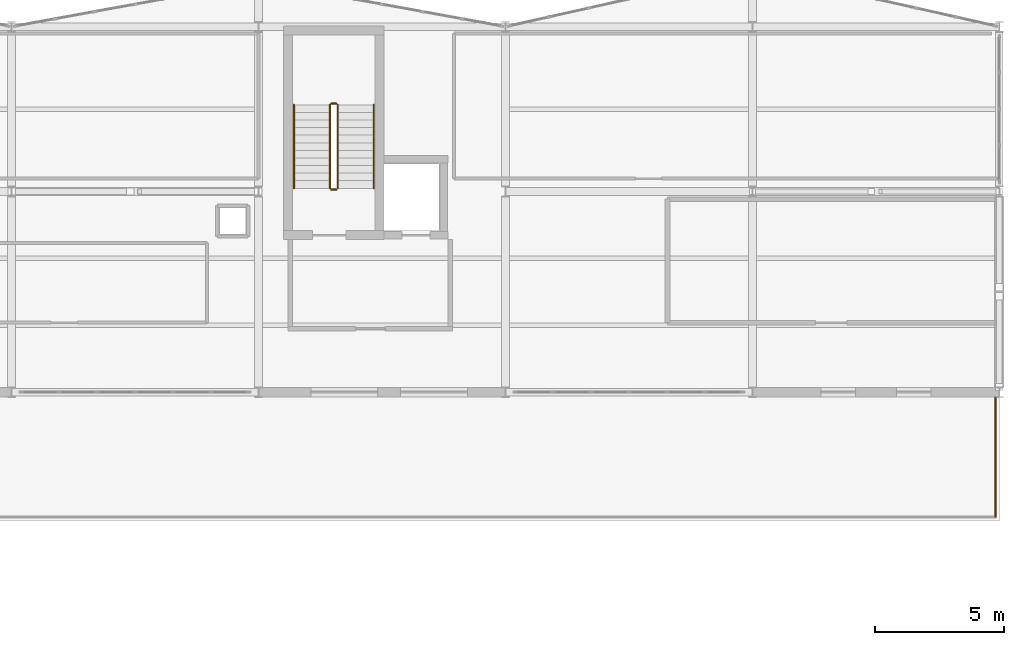
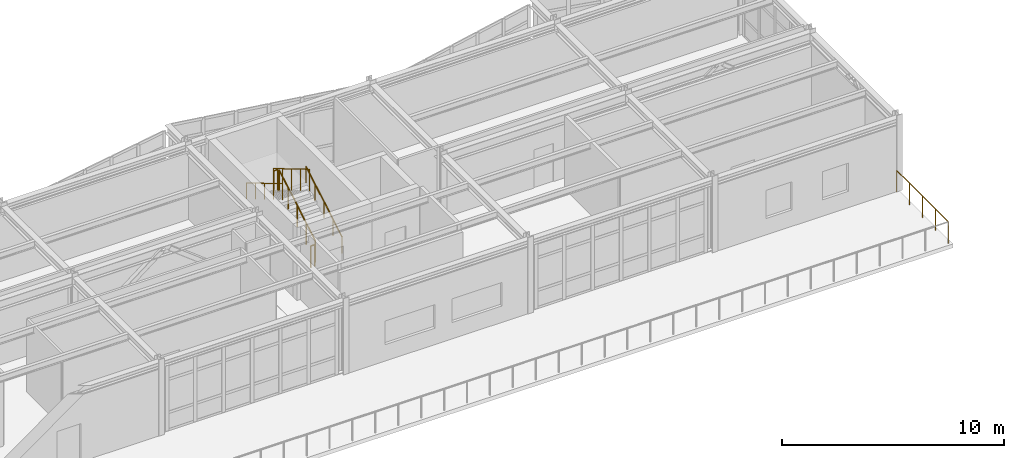
# One storey, part 47 of 47: 7 railings.
"""IFC4 building model written with IfcOpenShell, lengths in metres."""

from ifc_helpers import new_model, si_unit, direction, frame, origin, origin_2d, place, context, subcontext, project, spatial, circle, extrude, material, layer, layer_set, type_object, element, save


model = new_model("IFC4")

# Units and contexts
model_context = context("Model", 3, precision=1e-05, world=origin(), true_north=direction((0.0, 1.0)))
body_context = subcontext(model_context, "Body", "Model", "MODEL_VIEW")
ifc_project = project(units=[si_unit("LENGTHUNIT", "METRE"), si_unit("AREAUNIT", "SQUARE_METRE"), si_unit("VOLUMEUNIT", "CUBIC_METRE"), si_unit("PLANEANGLEUNIT", "RADIAN"), si_unit("MASSUNIT", "GRAM", prefix="KILO")], contexts=[model_context])

# Site, building, storey
site_placement = place(None, origin())
site = spatial("IfcSite", under=ifc_project, at=site_placement, CompositionType="ELEMENT")
building_placement = place(site_placement, origin())
building = spatial("IfcBuilding", under=site, at=building_placement, Name="Nordkorset Police Headquarters", CompositionType="ELEMENT")
storey_placement = place(building_placement, frame((0.0, 0.0, 22.050048828125)))
storey = spatial("IfcBuildingStorey", under=building, at=storey_placement, Name="L05", CompositionType="ELEMENT", Elevation=22.050048828125)

# Railings
ifc_material_1 = material(Name="Steel S355J2", Category="steel")
ifc_layer_1 = layer(ifc_material_1, 0.06005859375, Name="Steel S355J2")
ifc_layer_set_1 = layer_set([ifc_layer_1], Name="Steel S355J2")
railing_type_1 = type_object("IfcRailingType", Name="Guardrail_Terrace_1200", PredefinedType="GUARDRAIL", material=ifc_layer_set_1)
railing_1_placement = place(storey_placement, frame((86.25, 97.75, 0.0)))
element("IfcRailing", 1, at=railing_1_placement, inside=storey, type_object=railing_type_1, Name="Terrace Perimeter Guardrail TER-V2-L05-2", PredefinedType="GUARDRAIL", context=body_context, shape_type="SweptSolid", body=[
    extrude(circle(Radius=0.02392578125, at=origin_2d()), frame((0.0, 0.0, 1.17578125), z_axis=(0.0, 1.0, 0.0), x_axis=(-1.0, 0.0, 0.0)), (0.0, 0.0, 1.0), 4.64990234375),
    extrude(circle(Radius=0.02099609375, at=origin_2d()), origin(), (0.0, 0.0, 1.0), 1.15185546875),
    extrude(circle(Radius=0.02099609375, at=origin_2d()), frame((0.0, 1.16259765625, 0.0)), (0.0, 0.0, 1.0), 1.15185546875),
    extrude(circle(Radius=0.02099609375, at=origin_2d()), frame((0.0, 2.324951171875, 0.0)), (0.0, 0.0, 1.0), 1.15185546875),
    extrude(circle(Radius=0.02099609375, at=origin_2d()), frame((0.0, 3.4873046875, 0.0)), (0.0, 0.0, 1.0), 1.15185546875),
    extrude(circle(Radius=0.02099609375, at=origin_2d()), frame((0.0, 4.64990234375, 0.0)), (0.0, 0.0, 1.0), 1.15185546875),
])
ifc_material_2 = material(Name="Steel S355J2", Category="steel")
ifc_layer_2 = layer(ifc_material_2, 0.048095703125, Name="Steel S355J2")
ifc_layer_set_2 = layer_set([ifc_layer_2], Name="Steel S355J2")
railing_type_2 = type_object("IfcRailingType", Name="Railing_Handrail_900", PredefinedType="HANDRAIL", material=ifc_layer_set_2)
railing_2_placement = place(storey_placement, frame((62.074951171875, 110.52490234375, 0.175048828125)))
element("IfcRailing", 2, at=railing_2_placement, inside=storey, type_object=railing_type_2, Name="L05 ST-02 stair handrail 1", PredefinedType="HANDRAIL", context=body_context, shape_type="SweptSolid", body=[
    extrude(circle(Radius=0.02392578125, at=origin_2d()), frame((0.0, 0.0, 0.8759765625), z_axis=(0.0, 0.860085452069, 0.510149992786), x_axis=(-1.0, 0.0, 0.0)), (0.0, 0.0, 1.0), 3.77294921875),
    extrude(circle(Radius=0.02099609375, at=origin_2d()), origin(), (0.0, 0.0, 1.0), 0.851806640625),
    extrude(circle(Radius=0.02099609375, at=origin_2d()), frame((0.0, 0.811279296875, 0.481201171875)), (0.0, 0.0, 1.0), 0.851806640625),
    extrude(circle(Radius=0.02099609375, at=origin_2d()), frame((0.0, 1.62255859375, 0.96240234375)), (0.0, 0.0, 1.0), 0.851806640625),
    extrude(circle(Radius=0.02099609375, at=origin_2d()), frame((0.0, 2.433837890625, 1.443603515625)), (0.0, 0.0, 1.0), 0.851806640625),
    extrude(circle(Radius=0.02099609375, at=origin_2d()), frame((0.0, 3.2451171875, 1.9248046875)), (0.0, 0.0, 1.0), 0.851806640625),
])
railing_3_placement = place(storey_placement, frame((58.97509765625, 113.77001953125, 2.27490234375)))
element("IfcRailing", 3, at=railing_3_placement, inside=storey, type_object=railing_type_2, Name="L05 ST-02 stair handrail 2", PredefinedType="HANDRAIL", context=body_context, shape_type="SweptSolid", body=[
    extrude(circle(Radius=0.02392578125, at=origin_2d()), frame((0.0, 0.0, 0.8759765625), z_axis=(0.0, -0.860057060016, 0.510197857224), x_axis=(1.0, 0.0, 0.0)), (0.0, 0.0, 1.0), 3.773193359375),
    extrude(circle(Radius=0.02099609375, at=origin_2d()), origin(), (0.0, 0.0, 1.0), 0.851806640625),
    extrude(circle(Radius=0.02099609375, at=origin_2d()), frame((0.0, -0.811279296875, 0.481201171875)), (0.0, 0.0, 1.0), 0.851806640625),
    extrude(circle(Radius=0.02099609375, at=origin_2d()), frame((0.0, -1.62255859375, 0.96240234375)), (0.0, 0.0, 1.0), 0.851806640625),
    extrude(circle(Radius=0.02099609375, at=origin_2d()), frame((0.0, -2.433837890625, 1.44384765625)), (0.0, 0.0, 1.0), 0.851806640625),
    extrude(circle(Radius=0.02099609375, at=origin_2d()), frame((0.0, -3.2451171875, 1.925048828125)), (0.0, 0.0, 1.0), 0.851806640625),
])
ifc_material_3 = material(Name="Steel S355J2", Category="steel")
ifc_layer_3 = layer(ifc_material_3, 0.050048828125, Name="Steel S355J2")
ifc_layer_set_3 = layer_set([ifc_layer_3], Name="Steel S355J2")
railing_type_3 = type_object("IfcRailingType", Name="Railing_StairGuard_1200", PredefinedType="GUARDRAIL", material=ifc_layer_set_3)
railing_4_placement = place(storey_placement, frame((60.675048828125, 110.52490234375, 0.175048828125)))
element("IfcRailing", 4, at=railing_4_placement, inside=storey, type_object=railing_type_3, Name="L05 ST-02 stair guard 1", PredefinedType="GUARDRAIL", context=body_context, shape_type="SweptSolid", body=[
    extrude(circle(Radius=0.02392578125, at=origin_2d()), frame((0.0, 0.0, 1.17578125), z_axis=(0.0, 0.860085452069, 0.510149992786), x_axis=(-1.0, 0.0, 0.0)), (0.0, 0.0, 1.0), 3.77294921875),
    extrude(circle(Radius=0.02099609375, at=origin_2d()), origin(), (0.0, 0.0, 1.0), 1.15185546875),
    extrude(circle(Radius=0.02099609375, at=origin_2d()), frame((0.0, 0.811279296875, 0.481201171875)), (0.0, 0.0, 1.0), 1.15185546875),
    extrude(circle(Radius=0.02099609375, at=origin_2d()), frame((0.0, 1.62255859375, 0.96240234375)), (0.0, 0.0, 1.0), 1.15185546875),
    extrude(circle(Radius=0.02099609375, at=origin_2d()), frame((0.0, 2.433837890625, 1.443603515625)), (0.0, 0.0, 1.0), 1.15185546875),
    extrude(circle(Radius=0.02099609375, at=origin_2d()), frame((0.0, 3.2451171875, 1.9248046875)), (0.0, 0.0, 1.0), 1.15185546875),
])
railing_5_placement = place(storey_placement, frame((60.625, 113.820068359375, 2.099853515625)))
element("IfcRailing", 5, at=railing_5_placement, inside=storey, type_object=railing_type_3, Name="L05 ST-02 stair guard 2", PredefinedType="GUARDRAIL", context=body_context, shape_type="SweptSolid", body=[
    extrude(circle(Radius=0.02392578125, at=origin_2d()), frame((0.0, 0.0, 1.17578125), z_axis=(-1.0, 0.0, 0.0), x_axis=(0.0, -1.0, 0.0)), (0.0, 0.0, 1.0), 0.199951171875),
    extrude(circle(Radius=0.02099609375, at=origin_2d()), origin(), (0.0, 0.0, 1.0), 1.15185546875),
    extrude(circle(Radius=0.02099609375, at=origin_2d()), frame((-0.199951171875, 0.0, 0.0)), (0.0, 0.0, 1.0), 1.15185546875),
])
railing_6_placement = place(storey_placement, frame((60.375, 113.77001953125, 2.27490234375)))
element("IfcRailing", 6, at=railing_6_placement, inside=storey, type_object=railing_type_3, Name="L05 ST-02 stair guard 3", PredefinedType="GUARDRAIL", context=body_context, shape_type="SweptSolid", body=[
    extrude(circle(Radius=0.02392578125, at=origin_2d()), frame((0.0, 0.0, 1.17578125), z_axis=(0.0, -0.860057060016, 0.510197857224), x_axis=(1.0, 0.0, 0.0)), (0.0, 0.0, 1.0), 3.773193359375),
    extrude(circle(Radius=0.02099609375, at=origin_2d()), origin(), (0.0, 0.0, 1.0), 1.15185546875),
    extrude(circle(Radius=0.02099609375, at=origin_2d()), frame((0.0, -0.811279296875, 0.481201171875)), (0.0, 0.0, 1.0), 1.15185546875),
    extrude(circle(Radius=0.02099609375, at=origin_2d()), frame((0.0, -1.62255859375, 0.96240234375)), (0.0, 0.0, 1.0), 1.15185546875),
    extrude(circle(Radius=0.02099609375, at=origin_2d()), frame((0.0, -2.433837890625, 1.44384765625)), (0.0, 0.0, 1.0), 1.15185546875),
    extrude(circle(Radius=0.02099609375, at=origin_2d()), frame((0.0, -3.2451171875, 1.925048828125)), (0.0, 0.0, 1.0), 1.15185546875),
])
railing_7_placement = place(storey_placement, frame((60.625, 110.47509765625, 0.0)))
element("IfcRailing", 7, at=railing_7_placement, inside=storey, type_object=railing_type_3, Name="L05 ST-02 stair guard 4", PredefinedType="GUARDRAIL", context=body_context, shape_type="SweptSolid", body=[
    extrude(circle(Radius=0.02392578125, at=origin_2d()), frame((0.0, 0.0, 1.17578125), z_axis=(-1.0, 0.0, 0.0), x_axis=(0.0, -1.0, 0.0)), (0.0, 0.0, 1.0), 0.199951171875),
    extrude(circle(Radius=0.02099609375, at=origin_2d()), origin(), (0.0, 0.0, 1.0), 1.15185546875),
    extrude(circle(Radius=0.02099609375, at=origin_2d()), frame((-0.199951171875, 0.0, 0.0)), (0.0, 0.0, 1.0), 1.15185546875),
])

save(model, "model.ifc")
